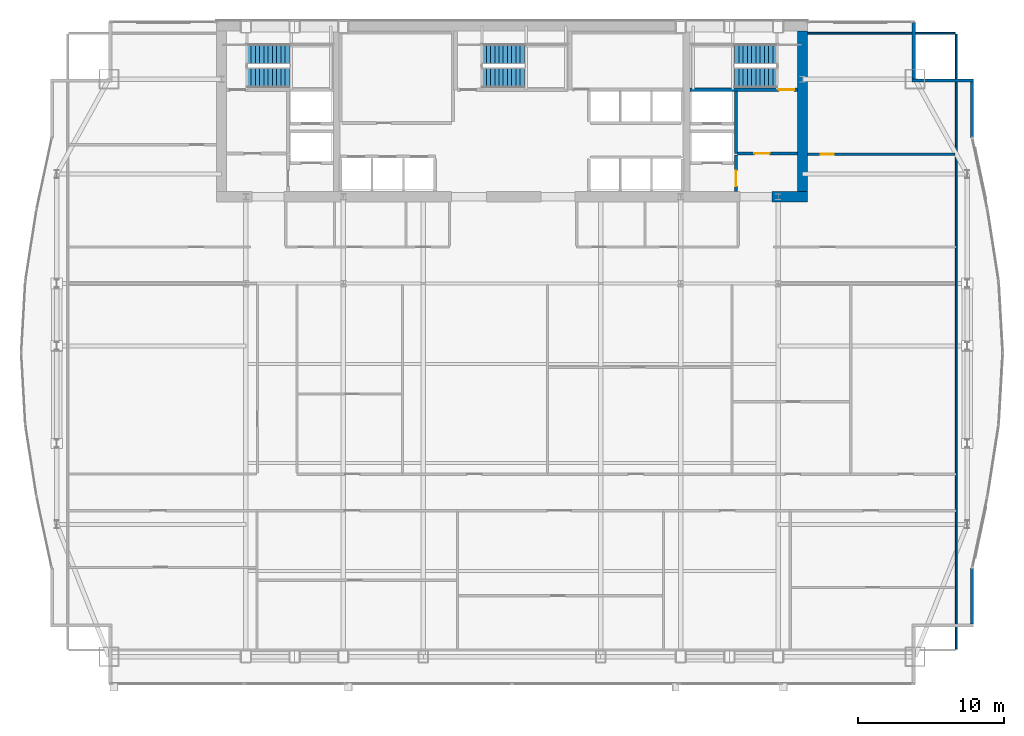
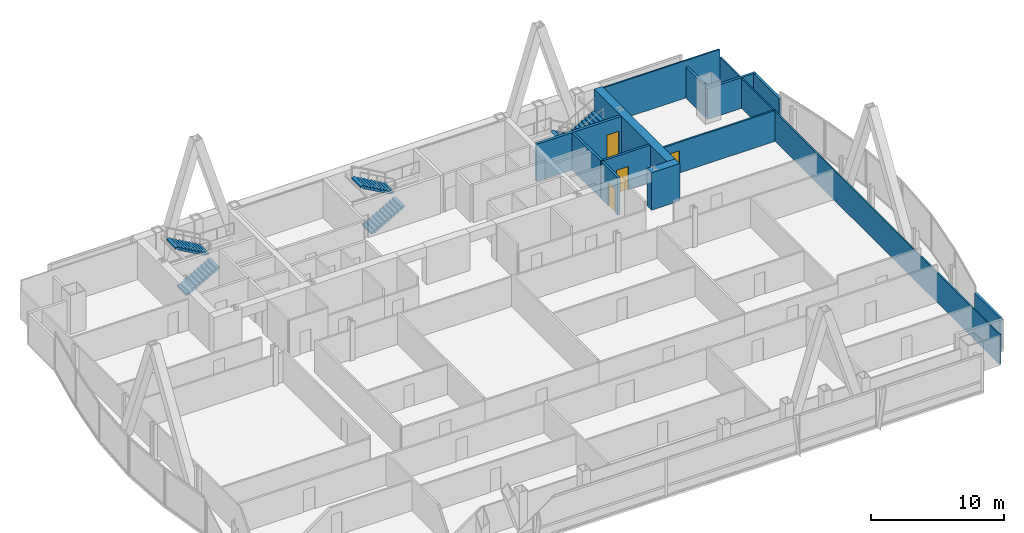
# One storey, part 28 of 30: 13 walls, 6 stair flights, 4 doors, 4 openings, 3 elements without a shape of their own.
"""IFC4 building model written with IfcOpenShell, lengths in metres."""

from ifc_helpers import new_model, si_unit, direction, frame, frame_2d, origin, place, context, subcontext, project, spatial, polyline, rectangle, outline, extrude, material, layer, layer_set, type_object, element, fill, aggregate, save


model = new_model("IFC4")

# Units and contexts
model_context = context("Model", 3, precision=1e-05, world=origin(), true_north=direction((0.0, 1.0)))
body_context = subcontext(model_context, "Body", "Model", "MODEL_VIEW")
ifc_project = project(units=[si_unit("LENGTHUNIT", "METRE"), si_unit("AREAUNIT", "SQUARE_METRE"), si_unit("VOLUMEUNIT", "CUBIC_METRE"), si_unit("PLANEANGLEUNIT", "RADIAN"), si_unit("MASSUNIT", "GRAM", prefix="KILO")], contexts=[model_context])

# Site, building, storey
site_placement = place(None, origin())
site = spatial("IfcSite", under=ifc_project, at=site_placement, CompositionType="ELEMENT")
building_placement = place(site_placement, origin())
building = spatial("IfcBuilding", under=site, at=building_placement, Name="Khoronbel Lancet Exchange", CompositionType="ELEMENT")
storey_placement = place(building_placement, frame((0.0, 0.0, 157.800048828125)))
storey = spatial("IfcBuildingStorey", under=building, at=storey_placement, Name="L39", CompositionType="ELEMENT", Elevation=157.800048828125)

# Walls
ifc_material_1 = material(Name="Concrete C80/95", Category="concrete")
ifc_layer_1 = layer(ifc_material_1, 0.699951171875, Name="Concrete C80/95")
ifc_layer_set_1 = layer_set([ifc_layer_1], Name="Concrete C80/95")
wall_type_1 = type_object("IfcWallType", Name="WL-CW2", PredefinedType="SHEAR", material=ifc_layer_set_1)
wall_1_placement = place(storey_placement, frame((56.35009765625, 53.0, 0.0), z_axis=(0.0, 0.0, 1.0), x_axis=(0.0, -1.0, 0.0)))
element("IfcWall", 1, at=wall_1_placement, inside=storey, type_object=wall_type_1, Name="Level L39 rear core east shear wall", PredefinedType="SHEAR", context=body_context, shape_type="SweptSolid", body=[
    extrude(rectangle(XDim=11.0, YDim=0.699951171875, at=frame_2d((5.5, 0.0))), origin(), (0.0, 0.0, 1.0), 3.43994140625),
])
wall_2_placement = place(storey_placement, frame((56.699951171875, 41.64990234375, 0.0), z_axis=(0.0, 0.0, 1.0), x_axis=(-1.0, 0.0, 0.0)))
element("IfcWall", 2, at=wall_2_placement, inside=storey, type_object=wall_type_1, Name="Level L39 rear core south shear wall pier P5", PredefinedType="SHEAR", context=body_context, shape_type="SweptSolid", body=[
    extrude(rectangle(XDim=2.449951171875, YDim=0.699951171875, at=frame_2d((1.22509765625, 0.0))), origin(), (0.0, 0.0, 1.0), 3.43994140625),
])
ifc_material_2 = material(Name="Precast concrete C40/50", Category="concrete")
ifc_layer_2 = layer(ifc_material_2, 0.25, Name="Precast concrete C40/50")
ifc_layer_set_2 = layer_set([ifc_layer_2], Name="Precast concrete C40/50")
wall_type_2 = type_object("IfcWallType", Name="WL-EXT250", PredefinedType="SOLIDWALL", material=ifc_layer_set_2)
wall_3_placement = place(storey_placement, frame((63.9599609375, 53.6298828125, 0.0), z_axis=(0.0, 0.0, 1.0), x_axis=(0.0, -1.0, 0.0)))
element("IfcWall", 3, at=wall_3_placement, inside=storey, type_object=wall_type_2, Name="Level L39 notched-corner limestone pier 14", PredefinedType="SOLIDWALL", context=body_context, shape_type="SweptSolid", body=[
    extrude(rectangle(XDim=3.909912109375, YDim=0.219970703125, at=frame_2d((1.955078125, 0.0))), origin(), (0.0, 0.0, 1.0), 2.829833984375),
])
wall_4_placement = place(storey_placement, frame((63.85009765625, 49.610107421875, 0.0), z_axis=(0.0, 0.0, 1.0), x_axis=(1.0, 0.0, 0.0)))
element("IfcWall", 4, at=wall_4_placement, inside=storey, type_object=wall_type_2, Name="Level L39 notched-corner limestone pier 15", PredefinedType="SOLIDWALL", context=body_context, shape_type="SweptSolid", body=[
    extrude(rectangle(XDim=4.219970703125, YDim=0.219970703125, at=frame_2d((2.10986328125, 0.0))), origin(), (0.0, 0.0, 1.0), 2.829833984375),
])
for number, where, z_axis, x_axis, name in (
    (5, (67.9599609375, 49.5, 0.0), (0.0, 0.0, 1.0), (0.0, -1.0, 0.0), "Level L39 notched-corner limestone pier 16"),
    (6, (67.9599609375, 16.2294921875, 0.0), (0.0, 0.0, 1.0), (0.0, -1.0, 0.0), "Level L39 notched-corner limestone pier 23"),
):
    element("IfcWall", number, at=place(storey_placement, frame(where, z_axis=z_axis, x_axis=x_axis)), inside=storey, type_object=wall_type_2, Name=name, PredefinedType="SOLIDWALL", context=body_context, shape_type="SweptSolid", body=[
        extrude(rectangle(XDim=3.82958984375, YDim=0.219970703125, at=frame_2d((1.914794921875, 0.0))), origin(), (0.0, 0.0, 1.0), 2.829833984375),
    ])

# Wall, opening, door
ifc_material_3 = material(Name="Acoustic Metal-Stud & Mineral-Wool Gypsum Partition 120 mm", Category="gypsum")
ifc_layer_3 = layer(ifc_material_3, 0.1201171875, Name="Acoustic Metal-Stud & Mineral-Wool Gypsum Partition 120 mm")
ifc_layer_set_3 = layer_set([ifc_layer_3], Name="Acoustic Metal-Stud & Mineral-Wool Gypsum Partition 120 mm")
wall_type_3 = type_object("IfcWallType", Name="WL-PRT120", PredefinedType="PARTITIONING", material=ifc_layer_set_3)
wall_5_placement = place(storey_placement, frame((56.699951171875, 44.56005859375, 0.0), z_axis=(0.0, 0.0, 1.0), x_axis=(1.0, 0.0, 0.0)))
wall_5 = element("IfcWall", 7, at=wall_5_placement, inside=storey, type_object=wall_type_3, Name="Level L39 interior partition PW-NE-H", PredefinedType="PARTITIONING", context=body_context, shape_type="SweptSolid", body=[
    extrude(rectangle(XDim=10.10498046875, YDim=0.14990234375, at=frame_2d((5.052490234375, 0.0))), origin(), (0.0, 0.0, 1.0), 2.829833984375),
])
opening_1_placement = place(wall_5_placement, frame((0.89990234375, 0.0, 0.0)))
opening_1 = element("IfcOpeningElement", 8, at=opening_1_placement, cuts=wall_5, Name="Opening D5", PredefinedType="OPENING", context=body_context, shape_type="SweptSolid", body=[
    extrude(rectangle(XDim=0.89990234375, YDim=2.050048828125, at=frame_2d((0.449951171875, 1.02490234375))), frame((0.0, 0.0849609375, 0.0), z_axis=(0.0, -1.0, 0.0), x_axis=(1.0, 0.0, 0.0)), (0.0, 0.0, 1.0), 0.169921875),
])
ifc_material_4 = material(Name="Acoustic Timber Pantry & Support Door", Category="wood")
door_type_1 = type_object("IfcDoorType", Name="DR-D5", OperationType="NOTDEFINED", PredefinedType="DOOR", material=ifc_material_4)
door_1_placement = place(opening_1_placement, origin())
door_1 = element("IfcDoor", 9, at=door_1_placement, inside=storey, type_object=door_type_1, Name="NE north room door L39-1", OperationType="SINGLE_SWING_LEFT", OverallHeight=2.050048828125, OverallWidth=0.89990234375, PredefinedType="DOOR", context=body_context, shape_type="SweptSolid", body=[
    extrude(rectangle(XDim=0.89990234375, YDim=2.050048828125, at=frame_2d((0.449951171875, 1.02490234375))), frame((0.0, 0.02490234375, 0.0), z_axis=(0.0, -1.0, 0.0), x_axis=(1.0, 0.0, 0.0)), (0.0, 0.0, 1.0), 0.050048828125),
])
fill(opening_1, door_1)

# Walls
wall_6_placement = place(storey_placement, frame((66.8701171875, 10.6650390625, 0.0), z_axis=(0.0, 0.0, 1.0), x_axis=(0.0, 1.0, 0.0)))
element("IfcWall", 10, at=wall_6_placement, inside=storey, type_object=wall_type_3, Name="Level L39 interior partition PW-LIN-E", PredefinedType="PARTITIONING", context=body_context, shape_type="SweptSolid", body=[
    extrude(rectangle(XDim=42.10986328125, YDim=0.1201171875, at=frame_2d((21.054931640625, 0.0))), origin(), (0.0, 0.0, 1.0), 2.72998046875),
])
wall_7_placement = place(storey_placement, frame((56.699951171875, 52.840087890625, 0.0), z_axis=(0.0, 0.0, 1.0), x_axis=(1.0, 0.0, 0.0)))
element("IfcWall", 11, at=wall_7_placement, inside=storey, type_object=wall_type_3, Name="Level L39 interior partition PW-LIN-NE", PredefinedType="PARTITIONING", context=body_context, shape_type="SweptSolid", body=[
    extrude(rectangle(XDim=10.10498046875, YDim=0.1201171875, at=frame_2d((5.052490234375, 0.0))), origin(), (0.0, 0.0, 1.0), 3.43994140625),
])
ifc_material_5 = material(Name="Autoclaved Aerated Concrete Blockwork 200 mm", Category="masonry")
ifc_layer_4 = layer(ifc_material_5, 0.199951171875, Name="Autoclaved Aerated Concrete Blockwork 200 mm")
ifc_layer_set_4 = layer_set([ifc_layer_4], Name="Autoclaved Aerated Concrete Blockwork 200 mm")
wall_type_4 = type_object("IfcWallType", Name="WL-PRT200", PredefinedType="PARTITIONING", material=ifc_layer_set_4)
wall_8_placement = place(storey_placement, frame((51.800048828125, 44.60009765625, 0.0), z_axis=(0.0, 0.0, 1.0), x_axis=(0.0, 1.0, 0.0)))
element("IfcWall", 12, at=wall_8_placement, inside=storey, type_object=wall_type_4, Name="Level L39 interior partition CW-FFLE-W", PredefinedType="PARTITIONING", context=body_context, shape_type="SweptSolid", body=[
    extrude(rectangle(XDim=4.2998046875, YDim=0.199951171875, at=frame_2d((2.14990234375, 0.0))), origin(), (0.0, 0.0, 1.0), 3.43994140625),
])

# Wall, opening, door
wall_9_placement = place(storey_placement, frame((51.89990234375, 44.60009765625, 0.0), z_axis=(0.0, 0.0, 1.0), x_axis=(1.0, 0.0, 0.0)))
wall_9 = element("IfcWall", 13, at=wall_9_placement, inside=storey, type_object=wall_type_4, Name="Level L39 interior partition CW-FFLE-S", PredefinedType="PARTITIONING", context=body_context, shape_type="SweptSolid", body=[
    extrude(rectangle(XDim=4.10009765625, YDim=0.199951171875, at=frame_2d((2.050048828125, 0.0))), origin(), (0.0, 0.0, 1.0), 3.43994140625),
])
opening_2_placement = place(wall_9_placement, frame((1.14990234375, 0.0, 0.0)))
opening_2 = element("IfcOpeningElement", 14, at=opening_2_placement, cuts=wall_9, Name="Opening FD1", PredefinedType="OPENING", context=body_context, shape_type="SweptSolid", body=[
    extrude(rectangle(XDim=1.050048828125, YDim=2.14990234375, at=frame_2d((0.52490234375, 1.074951171875))), frame((0.0, 0.10986328125, 0.0), z_axis=(0.0, -1.0, 0.0), x_axis=(1.0, 0.0, 0.0)), (0.0, 0.0, 1.0), 0.219970703125),
])
ifc_material_6 = material(Name="Fire-Rated Painted Steel Door Assembly", Category="steel")
door_type_2 = type_object("IfcDoorType", Name="DR-FD1", OperationType="NOTDEFINED", PredefinedType="DOOR", material=ifc_material_6)
door_2_placement = place(opening_2_placement, origin())
door_2 = element("IfcDoor", 15, at=door_2_placement, inside=storey, type_object=door_type_2, Name="East firefighting lobby FD90S door L39-1", OperationType="SINGLE_SWING_LEFT", OverallHeight=2.14990234375, OverallWidth=1.050048828125, PredefinedType="DOOR", context=body_context, shape_type="SweptSolid", body=[
    extrude(rectangle(XDim=1.050048828125, YDim=2.14990234375, at=frame_2d((0.52490234375, 1.074951171875))), frame((0.0, 0.02490234375, 0.0), z_axis=(0.0, -1.0, 0.0), x_axis=(1.0, 0.0, 0.0)), (0.0, 0.0, 1.0), 0.050048828125),
])
fill(opening_2, door_2)

wall_10_placement = place(storey_placement, frame((51.800048828125, 42.0, 0.0), z_axis=(0.0, 0.0, 1.0), x_axis=(0.0, 1.0, 0.0)))
wall_10 = element("IfcWall", 16, at=wall_10_placement, inside=storey, type_object=wall_type_4, Name="Level L39 interior partition CW-SVLE-E", PredefinedType="PARTITIONING", context=body_context, shape_type="SweptSolid", body=[
    extrude(rectangle(XDim=2.4951171875, YDim=0.199951171875, at=frame_2d((1.24755859375, 0.0))), origin(), (0.0, 0.0, 1.0), 3.43994140625),
])
opening_3_placement = place(wall_10_placement, frame((0.3798828125, 0.0, 0.0)))
opening_3 = element("IfcOpeningElement", 17, at=opening_3_placement, cuts=wall_10, Name="Opening FD1", PredefinedType="OPENING", context=body_context, shape_type="SweptSolid", body=[
    extrude(rectangle(XDim=1.050048828125, YDim=2.14990234375, at=frame_2d((0.52490234375, 1.074951171875))), frame((0.0, 0.10986328125, 0.0), z_axis=(0.0, -1.0, 0.0), x_axis=(1.0, 0.0, 0.0)), (0.0, 0.0, 1.0), 0.219970703125),
])
door_3_placement = place(opening_3_placement, origin())
door_3 = element("IfcDoor", 18, at=door_3_placement, inside=storey, type_object=door_type_2, Name="East service lift lobby door L39-1", OperationType="SINGLE_SWING_RIGHT", OverallHeight=2.14990234375, OverallWidth=1.050048828125, PredefinedType="DOOR", context=body_context, shape_type="SweptSolid", body=[
    extrude(rectangle(XDim=1.050048828125, YDim=2.14990234375, at=frame_2d((0.52490234375, 1.074951171875))), frame((0.0, 0.02490234375, 0.0), z_axis=(0.0, -1.0, 0.0), x_axis=(1.0, 0.0, 0.0)), (0.0, 0.0, 1.0), 0.050048828125),
])
fill(opening_3, door_3)

ifc_material_7 = material(Name="Concrete C60/75", Category="concrete")
ifc_layer_5 = layer(ifc_material_7, 0.260009765625, Name="Concrete C60/75")
ifc_layer_set_5 = layer_set([ifc_layer_5], Name="Concrete C60/75")
wall_type_5 = type_object("IfcWallType", Name="WL-SW3", PredefinedType="SHEAR", material=ifc_layer_set_5)
wall_11_placement = place(storey_placement, frame((48.6298828125, 48.97998046875, 0.0), z_axis=(0.0, 0.0, 1.0), x_axis=(1.0, 0.0, 0.0)))
wall_11 = element("IfcWall", 19, at=wall_11_placement, inside=storey, type_object=wall_type_5, Name="Level L39 east stairwell structural south wall", PredefinedType="SHEAR", context=body_context, shape_type="SweptSolid", body=[
    extrude(rectangle(XDim=7.3701171875, YDim=0.239990234375, at=frame_2d((3.68505859375, 0.0))), origin(), (0.0, 0.0, 1.0), 3.43994140625),
])
opening_4_placement = place(wall_11_placement, frame((6.10009765625, 0.0, 0.0)))
opening_4 = element("IfcOpeningElement", 20, at=opening_4_placement, cuts=wall_11, Name="Opening SD1", PredefinedType="OPENING", context=body_context, shape_type="SweptSolid", body=[
    extrude(rectangle(XDim=1.050048828125, YDim=2.14990234375, at=frame_2d((0.52490234375, 1.074951171875))), frame((0.0, 0.1298828125, 0.0), z_axis=(0.0, -1.0, 0.0), x_axis=(1.0, 0.0, 0.0)), (0.0, 0.0, 1.0), 0.260009765625),
])
ifc_material_8 = material(Name="Fire-Rated Steel Stairwell Door Assembly", Category="steel")
door_type_3 = type_object("IfcDoorType", Name="DR-SD1", OperationType="NOTDEFINED", PredefinedType="DOOR", material=ifc_material_8)
door_4_placement = place(opening_4_placement, origin())
door_4 = element("IfcDoor", 21, at=door_4_placement, inside=storey, type_object=door_type_3, Name="Protected exit stair ST2 door L39", OperationType="SINGLE_SWING_RIGHT", OverallHeight=2.14990234375, OverallWidth=1.050048828125, PredefinedType="DOOR", context=body_context, shape_type="SweptSolid", body=[
    extrude(rectangle(XDim=1.050048828125, YDim=2.14990234375, at=frame_2d((0.52490234375, 1.074951171875))), frame((0.0, 0.02490234375, 0.0), z_axis=(0.0, -1.0, 0.0), x_axis=(1.0, 0.0, 0.0)), (0.0, 0.0, 1.0), 0.050048828125),
])
fill(opening_4, door_4)

# Stair, stair flights
ifc_material_9 = material(Name="Concrete C40/50", Category="concrete")
stair_type = type_object("IfcStairType", Name="STR-CORE150", PredefinedType="HALF_TURN_STAIR", material=ifc_material_9)
stair_1_placement = place(storey_placement, origin())
stair_1 = element("IfcStair", 22, at=stair_1_placement, inside=storey, type_object=stair_type, Name="L39 Protected Exit Stair ST1", PredefinedType="HALF_TURN_STAIR")
stair_flight_type = type_object("IfcStairFlightType", Name="STF-150", PredefinedType="STRAIGHT", material=ifc_material_9)
stair_flight_1_placement = place(storey_placement, frame((18.300048828125, 49.81005859375, 0.0), z_axis=(0.0, 0.0, 1.0), x_axis=(1.0, 0.0, 0.0)))
stair_flight_1 = element("IfcStairFlight", 23, at=stair_flight_1_placement, type_object=stair_flight_type, Name="ST1 flight 1", NumberOfRisers=11, NumberOfTreads=10, PredefinedType="STRAIGHT", RiserHeight=0.163636364, TreadLength=0.29, context=body_context, shape_type="SweptSolid", body=[
    extrude(outline(polyline([(0.0, 0.0), (0.0, 0.16357421875), (0.2900390625, 0.16357421875), (0.2900390625, 0.327392578125), (0.580078125, 0.327392578125), (0.580078125, 0.490966796875), (0.8701171875, 0.490966796875), (0.8701171875, 0.654541015625), (1.159912109375, 0.654541015625), (1.159912109375, 0.818115234375), (1.449951171875, 0.818115234375), (1.449951171875, 0.98193359375), (1.739990234375, 0.98193359375), (1.739990234375, 1.1455078125), (2.030029296875, 1.1455078125), (2.030029296875, 1.30908203125), (2.320068359375, 1.30908203125), (2.320068359375, 1.47265625), (2.610107421875, 1.47265625), (2.610107421875, 1.636474609375), (2.89990234375, 1.636474609375), (2.89990234375, 1.800048828125), (2.89990234375, 1.46435546875), (0.304931640625, 0.0), (0.0, 0.0)])), frame((0.0, 0.68994140625, 0.0), z_axis=(0.0, -1.0, 0.0), x_axis=(1.0, 0.0, 0.0)), (0.0, 0.0, 1.0), 1.3798828125),
])
stair_flight_2_placement = place(storey_placement, frame((21.199951171875, 51.409912109375, 1.800048828125), z_axis=(0.0, 0.0, 1.0), x_axis=(-1.0, 0.0, 0.0)))
stair_flight_2 = element("IfcStairFlight", 24, at=stair_flight_2_placement, type_object=stair_flight_type, Name="ST1 flight 2", NumberOfRisers=11, NumberOfTreads=10, PredefinedType="STRAIGHT", RiserHeight=0.163636364, TreadLength=0.29, context=body_context, shape_type="SweptSolid", body=[
    extrude(outline(polyline([(0.0, 0.0), (0.0, 0.16357421875), (0.2900390625, 0.16357421875), (0.2900390625, 0.327392578125), (0.580078125, 0.327392578125), (0.580078125, 0.490966796875), (0.8701171875, 0.490966796875), (0.8701171875, 0.654541015625), (1.159912109375, 0.654541015625), (1.159912109375, 0.818115234375), (1.449951171875, 0.818115234375), (1.449951171875, 0.98193359375), (1.739990234375, 0.98193359375), (1.739990234375, 1.1455078125), (2.030029296875, 1.1455078125), (2.030029296875, 1.30908203125), (2.320068359375, 1.30908203125), (2.320068359375, 1.47265625), (2.610107421875, 1.47265625), (2.610107421875, 1.636474609375), (2.89990234375, 1.636474609375), (2.89990234375, 1.800048828125), (2.89990234375, 1.46435546875), (0.304931640625, 0.0), (0.0, 0.0)])), frame((0.0, 0.68994140625, 0.0), z_axis=(0.0, -1.0, 0.0), x_axis=(1.0, 0.0, 0.0)), (0.0, 0.0, 1.0), 1.3798828125),
])
aggregate(stair_1, [stair_flight_1, stair_flight_2])

stair_2_placement = place(storey_placement, origin())
stair_2 = element("IfcStair", 25, at=stair_2_placement, inside=storey, type_object=stair_type, Name="L39 Protected Exit Stair ST2", PredefinedType="HALF_TURN_STAIR")
stair_flight_3_placement = place(storey_placement, frame((54.60009765625, 51.409912109375, 0.0), z_axis=(0.0, 0.0, 1.0), x_axis=(-1.0, 0.0, 0.0)))
stair_flight_3 = element("IfcStairFlight", 26, at=stair_flight_3_placement, type_object=stair_flight_type, Name="ST2 flight 1", NumberOfRisers=11, NumberOfTreads=10, PredefinedType="STRAIGHT", RiserHeight=0.163636364, TreadLength=0.29, context=body_context, shape_type="SweptSolid", body=[
    extrude(outline(polyline([(0.0, 0.0), (0.0, 0.16357421875), (0.2900390625, 0.16357421875), (0.2900390625, 0.327392578125), (0.580078125, 0.327392578125), (0.580078125, 0.490966796875), (0.8701171875, 0.490966796875), (0.8701171875, 0.654541015625), (1.159912109375, 0.654541015625), (1.159912109375, 0.818115234375), (1.449951171875, 0.818115234375), (1.449951171875, 0.98193359375), (1.739990234375, 0.98193359375), (1.739990234375, 1.1455078125), (2.030029296875, 1.1455078125), (2.030029296875, 1.30908203125), (2.320068359375, 1.30908203125), (2.320068359375, 1.47265625), (2.610107421875, 1.47265625), (2.610107421875, 1.636474609375), (2.89990234375, 1.636474609375), (2.89990234375, 1.800048828125), (2.89990234375, 1.46435546875), (0.304931640625, 0.0), (0.0, 0.0)])), frame((0.0, 0.68994140625, 0.0), z_axis=(0.0, -1.0, 0.0), x_axis=(1.0, 0.0, 0.0)), (0.0, 0.0, 1.0), 1.3798828125),
])
stair_flight_4_placement = place(storey_placement, frame((51.699951171875, 49.81005859375, 1.800048828125), z_axis=(0.0, 0.0, 1.0), x_axis=(1.0, 0.0, 0.0)))
stair_flight_4 = element("IfcStairFlight", 27, at=stair_flight_4_placement, type_object=stair_flight_type, Name="ST2 flight 2", NumberOfRisers=11, NumberOfTreads=10, PredefinedType="STRAIGHT", RiserHeight=0.163636364, TreadLength=0.29, context=body_context, shape_type="SweptSolid", body=[
    extrude(outline(polyline([(0.0, 0.0), (0.0, 0.16357421875), (0.2900390625, 0.16357421875), (0.2900390625, 0.327392578125), (0.580078125, 0.327392578125), (0.580078125, 0.490966796875), (0.8701171875, 0.490966796875), (0.8701171875, 0.654541015625), (1.159912109375, 0.654541015625), (1.159912109375, 0.818115234375), (1.449951171875, 0.818115234375), (1.449951171875, 0.98193359375), (1.739990234375, 0.98193359375), (1.739990234375, 1.1455078125), (2.030029296875, 1.1455078125), (2.030029296875, 1.30908203125), (2.320068359375, 1.30908203125), (2.320068359375, 1.47265625), (2.610107421875, 1.47265625), (2.610107421875, 1.636474609375), (2.89990234375, 1.636474609375), (2.89990234375, 1.800048828125), (2.89990234375, 1.46435546875), (0.304931640625, 0.0), (0.0, 0.0)])), frame((0.0, 0.68994140625, 0.0), z_axis=(0.0, -1.0, 0.0), x_axis=(1.0, 0.0, 0.0)), (0.0, 0.0, 1.0), 1.3798828125),
])
aggregate(stair_2, [stair_flight_3, stair_flight_4])

stair_3_placement = place(storey_placement, origin())
stair_3 = element("IfcStair", 28, at=stair_3_placement, inside=storey, type_object=stair_type, Name="L39 Protected Exit Stair ST3", PredefinedType="HALF_TURN_STAIR")
stair_flight_5_placement = place(storey_placement, frame((34.39990234375, 49.81005859375, 0.0), z_axis=(0.0, 0.0, 1.0), x_axis=(1.0, 0.0, 0.0)))
stair_flight_5 = element("IfcStairFlight", 29, at=stair_flight_5_placement, type_object=stair_flight_type, Name="ST3 flight 1", NumberOfRisers=11, NumberOfTreads=10, PredefinedType="STRAIGHT", RiserHeight=0.163636364, TreadLength=0.29, context=body_context, shape_type="SweptSolid", body=[
    extrude(outline(polyline([(0.0, 0.0), (0.0, 0.16357421875), (0.2900390625, 0.16357421875), (0.2900390625, 0.327392578125), (0.580078125, 0.327392578125), (0.580078125, 0.490966796875), (0.8701171875, 0.490966796875), (0.8701171875, 0.654541015625), (1.159912109375, 0.654541015625), (1.159912109375, 0.818115234375), (1.449951171875, 0.818115234375), (1.449951171875, 0.98193359375), (1.739990234375, 0.98193359375), (1.739990234375, 1.1455078125), (2.030029296875, 1.1455078125), (2.030029296875, 1.30908203125), (2.320068359375, 1.30908203125), (2.320068359375, 1.47265625), (2.610107421875, 1.47265625), (2.610107421875, 1.636474609375), (2.89990234375, 1.636474609375), (2.89990234375, 1.800048828125), (2.89990234375, 1.46435546875), (0.304931640625, 0.0), (0.0, 0.0)])), frame((0.0, 0.68994140625, 0.0), z_axis=(0.0, -1.0, 0.0), x_axis=(1.0, 0.0, 0.0)), (0.0, 0.0, 1.0), 1.3798828125),
])
stair_flight_6_placement = place(storey_placement, frame((37.300048828125, 51.409912109375, 1.800048828125), z_axis=(0.0, 0.0, 1.0), x_axis=(-1.0, 0.0, 0.0)))
stair_flight_6 = element("IfcStairFlight", 30, at=stair_flight_6_placement, type_object=stair_flight_type, Name="ST3 flight 2", NumberOfRisers=11, NumberOfTreads=10, PredefinedType="STRAIGHT", RiserHeight=0.163636364, TreadLength=0.29, context=body_context, shape_type="SweptSolid", body=[
    extrude(outline(polyline([(0.0, 0.0), (0.0, 0.16357421875), (0.2900390625, 0.16357421875), (0.2900390625, 0.327392578125), (0.580078125, 0.327392578125), (0.580078125, 0.490966796875), (0.8701171875, 0.490966796875), (0.8701171875, 0.654541015625), (1.159912109375, 0.654541015625), (1.159912109375, 0.818115234375), (1.449951171875, 0.818115234375), (1.449951171875, 0.98193359375), (1.739990234375, 0.98193359375), (1.739990234375, 1.1455078125), (2.030029296875, 1.1455078125), (2.030029296875, 1.30908203125), (2.320068359375, 1.30908203125), (2.320068359375, 1.47265625), (2.610107421875, 1.47265625), (2.610107421875, 1.636474609375), (2.89990234375, 1.636474609375), (2.89990234375, 1.800048828125), (2.89990234375, 1.46435546875), (0.304931640625, 0.0), (0.0, 0.0)])), frame((0.0, 0.68994140625, 0.0), z_axis=(0.0, -1.0, 0.0), x_axis=(1.0, 0.0, 0.0)), (0.0, 0.0, 1.0), 1.3798828125),
])
aggregate(stair_3, [stair_flight_5, stair_flight_6])

save(model, "model.ifc")
